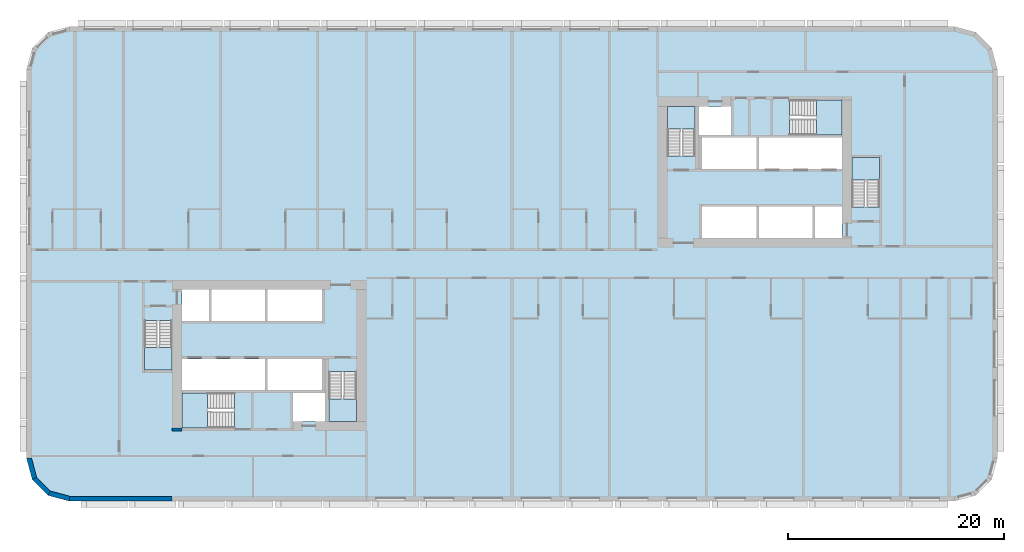
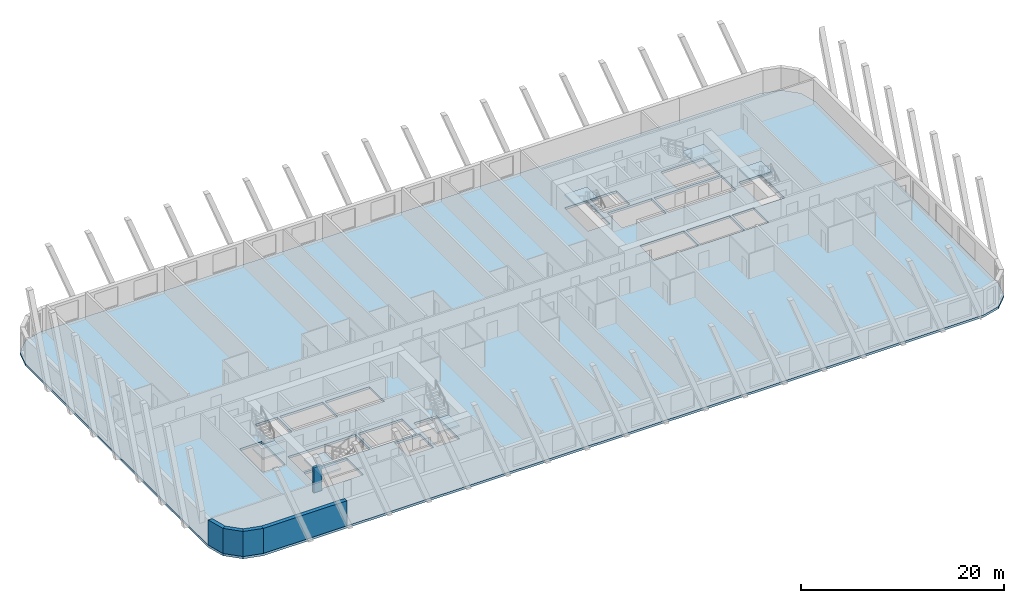
# One storey, part 1 of 13: 7 slabs, 5 walls, 6 elements without a shape of their own.
"""IFC4 building model written with IfcOpenShell, lengths in metres."""

from ifc_helpers import new_model, si_unit, direction, frame, frame_2d, origin, place, context, subcontext, project, spatial, polyline, rectangle, outline, extrude, material, layer, layer_set, type_object, element, aggregate, save


model = new_model("IFC4")

# Units and contexts
model_context = context("Model", 3, precision=1e-05, world=origin(), true_north=direction((0.0, 1.0)))
body_context = subcontext(model_context, "Body", "Model", "MODEL_VIEW")
ifc_project = project(units=[si_unit("LENGTHUNIT", "METRE"), si_unit("AREAUNIT", "SQUARE_METRE"), si_unit("VOLUMEUNIT", "CUBIC_METRE"), si_unit("PLANEANGLEUNIT", "RADIAN"), si_unit("MASSUNIT", "GRAM", prefix="KILO")], contexts=[model_context])

# Site, building, storey
site_placement = place(None, origin())
site = spatial("IfcSite", under=ifc_project, at=site_placement, CompositionType="ELEMENT")
building_placement = place(site_placement, origin())
building = spatial("IfcBuilding", under=site, at=building_placement, Name="Kajstack Hotel Tower", CompositionType="ELEMENT")
storey_placement = place(building_placement, frame((0.0, 0.0, 60.0)))
storey = spatial("IfcBuildingStorey", under=building, at=storey_placement, Name="L09", CompositionType="ELEMENT", Elevation=60.0)

# Slab
ifc_material_1 = material(Name="Concrete C40/50", Category="concrete")
ifc_layer_1 = layer(ifc_material_1, 0.280029296875)
ifc_layer_set_1 = layer_set([ifc_layer_1], Name="RC slab 280 C40/50 guest")
slab_type_1 = type_object("IfcSlabType", Name="RC slab 280 C40/50 guest", PredefinedType="FLOOR", material=ifc_layer_set_1)
slab_1_placement = place(storey_placement, frame((0.0, 0.0, -0.280029296875)))
element("IfcSlab", 1, at=slab_1_placement, inside=storey, type_object=slab_type_1, Name="S-slab-L09", PredefinedType="FLOOR", context=body_context, shape_type="SweptSolid", body=[
    extrude(outline(polyline([(-45.0, -18.0), (-44.464111328125, -20.0), (-43.0, -21.464111328125), (-41.0, -22.0), (41.0, -22.0), (43.0, -21.464111328125), (44.464111328125, -20.0), (45.0, -18.0), (45.0, 18.0), (44.464111328125, 20.0), (43.0, 21.464111328125), (41.0, 22.0), (-41.0, 22.0), (-43.0, 21.464111328125), (-44.464111328125, 20.0), (-45.0, 18.0), (-45.0, -18.0)]), holes=[polyline([(-30.60009765625, -11.699951171875), (-30.60009765625, -8.800048828125), (-22.89990234375, -8.800048828125), (-22.89990234375, -11.699951171875), (-30.60009765625, -11.699951171875)]), polyline([(-22.64990234375, -11.699951171875), (-22.64990234375, -8.800048828125), (-17.60009765625, -8.800048828125), (-17.60009765625, -11.699951171875), (-22.64990234375, -11.699951171875)]), polyline([(-27.85009765625, -5.300048828125), (-27.85009765625, -2.39990234375), (-22.89990234375, -2.39990234375), (-22.89990234375, -5.300048828125), (-27.85009765625, -5.300048828125)]), polyline([(-22.64990234375, -5.300048828125), (-22.64990234375, -2.39990234375), (-17.60009765625, -2.39990234375), (-17.60009765625, -5.300048828125), (-22.64990234375, -5.300048828125)]), polyline([(-20.300048828125, -14.60009765625), (-17.35009765625, -14.60009765625), (-17.35009765625, -11.949951171875), (-20.300048828125, -11.949951171875), (-20.300048828125, -14.60009765625)]), polyline([(-30.60009765625, -5.300048828125), (-28.10009765625, -5.300048828125), (-28.10009765625, -2.39990234375), (-30.60009765625, -2.39990234375), (-30.60009765625, -5.300048828125)]), polyline([(22.89990234375, 8.800048828125), (22.89990234375, 11.699951171875), (30.60009765625, 11.699951171875), (30.60009765625, 8.800048828125), (22.89990234375, 8.800048828125)]), polyline([(17.60009765625, 8.800048828125), (17.60009765625, 11.699951171875), (22.64990234375, 11.699951171875), (22.64990234375, 8.800048828125), (17.60009765625, 8.800048828125)]), polyline([(22.89990234375, 2.39990234375), (22.89990234375, 5.300048828125), (27.85009765625, 5.300048828125), (27.85009765625, 2.39990234375), (22.89990234375, 2.39990234375)]), polyline([(17.60009765625, 2.39990234375), (17.60009765625, 5.300048828125), (22.64990234375, 5.300048828125), (22.64990234375, 2.39990234375), (17.60009765625, 2.39990234375)]), polyline([(20.300048828125, 14.60009765625), (17.35009765625, 14.60009765625), (17.35009765625, 11.949951171875), (20.300048828125, 11.949951171875), (20.300048828125, 14.60009765625)]), polyline([(30.60009765625, 5.300048828125), (28.10009765625, 5.300048828125), (28.10009765625, 2.39990234375), (30.60009765625, 2.39990234375), (30.60009765625, 5.300048828125)]), polyline([(-34.050048828125, -9.85009765625), (-31.5, -9.85009765625), (-31.5, -5.25), (-34.050048828125, -5.25), (-34.050048828125, -9.85009765625)]), polyline([(-16.949951171875, -14.60009765625), (-14.39990234375, -14.60009765625), (-14.39990234375, -10.0), (-16.949951171875, -10.0), (-16.949951171875, -14.60009765625)]), polyline([(-30.60009765625, -15.199951171875), (-25.699951171875, -15.199951171875), (-25.699951171875, -11.949951171875), (-30.60009765625, -11.949951171875), (-30.60009765625, -15.199951171875)]), polyline([(34.050048828125, 9.85009765625), (31.5, 9.85009765625), (31.5, 5.25), (34.050048828125, 5.25), (34.050048828125, 9.85009765625)]), polyline([(16.949951171875, 14.60009765625), (14.39990234375, 14.60009765625), (14.39990234375, 10.0), (16.949951171875, 10.0), (16.949951171875, 14.60009765625)]), polyline([(30.60009765625, 15.199951171875), (25.699951171875, 15.199951171875), (25.699951171875, 11.949951171875), (30.60009765625, 11.949951171875), (30.60009765625, 15.199951171875)])]), origin(), (0.0, 0.0, 1.0), 0.280029296875),
])

# Stair, slab
stair_type_1 = type_object("IfcStairType", Name="Exit stair 1200", PredefinedType="HALF_TURN_STAIR", material=ifc_material_1)
stair_1_placement = place(storey_placement, origin())
stair_1 = element("IfcStair", 2, at=stair_1_placement, inside=storey, type_object=stair_type_1, Name="L09 stair W1", PredefinedType="HALF_TURN_STAIR")
ifc_layer_2 = layer(ifc_material_1, 0.199951171875)
ifc_layer_set_2 = layer_set([ifc_layer_2], Name="Stair landing 200")
slab_type_2 = type_object("IfcSlabType", Name="Stair landing 200", PredefinedType="LANDING", material=ifc_layer_set_2)
slab_2_placement = place(storey_placement, frame((0.0, 0.0, 1.449951171875)))
slab_2 = element("IfcSlab", 3, at=slab_2_placement, type_object=slab_type_2, Name="W1 landing 1", PredefinedType="LANDING", context=body_context, shape_type="SweptSolid", body=[
    extrude(outline(polyline([(-34.050048828125, -7.77001953125), (-34.050048828125, -9.85009765625), (-31.5, -9.85009765625), (-31.5, -7.77001953125), (-34.050048828125, -7.77001953125)])), origin(), (0.0, 0.0, 1.0), 0.199951171875),
])
aggregate(stair_1, [slab_2])

stair_2_placement = place(storey_placement, origin())
stair_2 = element("IfcStair", 4, at=stair_2_placement, inside=storey, type_object=stair_type_1, Name="L09 stair W2", PredefinedType="HALF_TURN_STAIR")
slab_3_placement = place(storey_placement, frame((0.0, 0.0, 1.449951171875)))
slab_3 = element("IfcSlab", 5, at=slab_3_placement, type_object=slab_type_2, Name="W2 landing 1", PredefinedType="LANDING", context=body_context, shape_type="SweptSolid", body=[
    extrude(outline(polyline([(-16.949951171875, -12.52001953125), (-16.949951171875, -14.60009765625), (-14.39990234375, -14.60009765625), (-14.39990234375, -12.52001953125), (-16.949951171875, -12.52001953125)])), origin(), (0.0, 0.0, 1.0), 0.199951171875),
])
aggregate(stair_2, [slab_3])

stair_type_2 = type_object("IfcStairType", Name="Exit stair 1500", PredefinedType="HALF_TURN_STAIR", material=ifc_material_1)
stair_3_placement = place(storey_placement, origin())
stair_3 = element("IfcStair", 6, at=stair_3_placement, inside=storey, type_object=stair_type_2, Name="L09 stair W3", PredefinedType="HALF_TURN_STAIR")
slab_4_placement = place(storey_placement, frame((0.0, 0.0, 1.449951171875)))
slab_4 = element("IfcSlab", 7, at=slab_4_placement, type_object=slab_type_2, Name="W3 landing 1", PredefinedType="LANDING", context=body_context, shape_type="SweptSolid", body=[
    extrude(outline(polyline([(-28.219970703125, -11.949951171875), (-30.60009765625, -11.949951171875), (-30.60009765625, -15.199951171875), (-28.219970703125, -15.199951171875), (-28.219970703125, -11.949951171875)])), origin(), (0.0, 0.0, 1.0), 0.199951171875),
])
aggregate(stair_3, [slab_4])

stair_4_placement = place(storey_placement, origin())
stair_4 = element("IfcStair", 8, at=stair_4_placement, inside=storey, type_object=stair_type_1, Name="L09 stair E1", PredefinedType="HALF_TURN_STAIR")
slab_5_placement = place(storey_placement, frame((0.0, 0.0, 1.449951171875)))
slab_5 = element("IfcSlab", 9, at=slab_5_placement, type_object=slab_type_2, Name="E1 landing 1", PredefinedType="LANDING", context=body_context, shape_type="SweptSolid", body=[
    extrude(outline(polyline([(34.050048828125, 7.77001953125), (34.050048828125, 9.85009765625), (31.5, 9.85009765625), (31.5, 7.77001953125), (34.050048828125, 7.77001953125)])), origin(), (0.0, 0.0, 1.0), 0.199951171875),
])
aggregate(stair_4, [slab_5])

stair_5_placement = place(storey_placement, origin())
stair_5 = element("IfcStair", 10, at=stair_5_placement, inside=storey, type_object=stair_type_1, Name="L09 stair E2", PredefinedType="HALF_TURN_STAIR")
slab_6_placement = place(storey_placement, frame((0.0, 0.0, 1.449951171875)))
slab_6 = element("IfcSlab", 11, at=slab_6_placement, type_object=slab_type_2, Name="E2 landing 1", PredefinedType="LANDING", context=body_context, shape_type="SweptSolid", body=[
    extrude(outline(polyline([(16.949951171875, 12.52001953125), (16.949951171875, 14.60009765625), (14.39990234375, 14.60009765625), (14.39990234375, 12.52001953125), (16.949951171875, 12.52001953125)])), origin(), (0.0, 0.0, 1.0), 0.199951171875),
])
aggregate(stair_5, [slab_6])

stair_6_placement = place(storey_placement, origin())
stair_6 = element("IfcStair", 12, at=stair_6_placement, inside=storey, type_object=stair_type_2, Name="L09 stair E3", PredefinedType="HALF_TURN_STAIR")
slab_7_placement = place(storey_placement, frame((0.0, 0.0, 1.449951171875)))
slab_7 = element("IfcSlab", 13, at=slab_7_placement, type_object=slab_type_2, Name="E3 landing 1", PredefinedType="LANDING", context=body_context, shape_type="SweptSolid", body=[
    extrude(outline(polyline([(28.219970703125, 11.949951171875), (30.60009765625, 11.949951171875), (30.60009765625, 15.199951171875), (28.219970703125, 15.199951171875), (28.219970703125, 11.949951171875)])), origin(), (0.0, 0.0, 1.0), 0.199951171875),
])
aggregate(stair_6, [slab_7])

# Walls
ifc_material_2 = material(Name="Concrete C60/75", Category="concrete")
ifc_layer_3 = layer(ifc_material_2, 0.89990234375)
ifc_layer_set_3 = layer_set([ifc_layer_3], Name="Core wall 900")
wall_type_1 = type_object("IfcWallType", Name="Core wall 900", PredefinedType="SHEAR", material=ifc_layer_set_3)
wall_1_placement = place(storey_placement, frame((-31.5, -15.35009765625, 0.0), z_axis=(0.0, 0.0, 1.0), x_axis=(1.0, 0.0, 0.0)))
element("IfcWall", 14, at=wall_1_placement, inside=storey, type_object=wall_type_1, Name="Core wall W RSW", PredefinedType="SHEAR", context=body_context, shape_type="SweptSolid", body=[
    extrude(rectangle(XDim=0.89990234375, YDim=0.300048828125, at=frame_2d((0.449951171875, 0.0))), origin(), (0.0, 0.0, 1.0), 3.02001953125),
])
ifc_material_3 = material(Name="Terracotta-faced brick masonry", Category="masonry")
ifc_layer_4 = layer(ifc_material_3, 0.449951171875)
ifc_layer_set_4 = layer_set([ifc_layer_4], Name="EW-TERRA")
wall_type_2 = type_object("IfcWallType", Name="EW-TERRA", PredefinedType="SOLIDWALL", material=ifc_layer_set_4)
wall_2_placement = place(storey_placement, frame((-44.78271484375, -17.941650390625, 0.0), z_axis=(0.0, 0.0, 1.0), x_axis=(0.25881466832, -0.965926999034, 0.0)))
element("IfcWall", 15, at=wall_2_placement, inside=storey, type_object=wall_type_2, Name="E-wall-L09-00-00", PredefinedType="SOLIDWALL", context=body_context, shape_type="SweptSolid", body=[
    extrude(outline(polyline([(0.000244140625, -0.22509765625), (2.070556640625, -0.224853515625), (1.9501953125, 0.22509765625), (0.12060546875, 0.22509765625), (0.000244140625, -0.22509765625)])), origin(), (0.0, 0.0, 1.0), 3.02001953125),
])
wall_3_placement = place(storey_placement, frame((-44.304931640625, -19.8408203125, 0.0), z_axis=(0.0, 0.0, 1.0), x_axis=(0.707106781187, -0.707106781187, 0.0)))
element("IfcWall", 16, at=wall_3_placement, inside=storey, type_object=wall_type_2, Name="E-wall-L09-01-00", PredefinedType="SOLIDWALL", context=body_context, shape_type="SweptSolid", body=[
    extrude(outline(polyline([(0.0, -0.22509765625), (2.070556640625, -0.22509765625), (1.949951171875, 0.224853515625), (0.12060546875, 0.224853515625), (0.0, -0.22509765625)])), origin(), (0.0, 0.0, 1.0), 3.02001953125),
])
wall_4_placement = place(storey_placement, frame((-42.941650390625, -21.246826171875, 0.0), z_axis=(0.0, 0.0, 1.0), x_axis=(0.965926999034, -0.25881466832, 0.0)))
element("IfcWall", 17, at=wall_4_placement, inside=storey, type_object=wall_type_2, Name="E-wall-L09-02-00", PredefinedType="SOLIDWALL", context=body_context, shape_type="SweptSolid", body=[
    extrude(outline(polyline([(-0.000244140625, -0.224853515625), (2.0703125, -0.22509765625), (1.949951171875, 0.22509765625), (0.120361328125, 0.22509765625), (-0.000244140625, -0.224853515625)])), origin(), (0.0, 0.0, 1.0), 3.02001953125),
])
wall_5_placement = place(storey_placement, frame((-41.0, -21.77490234375, 0.0), z_axis=(0.0, 0.0, 1.0), x_axis=(1.0, 0.0, 0.0)))
element("IfcWall", 18, at=wall_5_placement, inside=storey, type_object=wall_type_2, Name="E-wall-L09-03-00", PredefinedType="SOLIDWALL", context=body_context, shape_type="SweptSolid", body=[
    extrude(rectangle(XDim=9.5, YDim=0.449951171875, at=frame_2d((4.75, 0.0))), origin(), (0.0, 0.0, 1.0), 3.02001953125),
])

save(model, "model.ifc")
